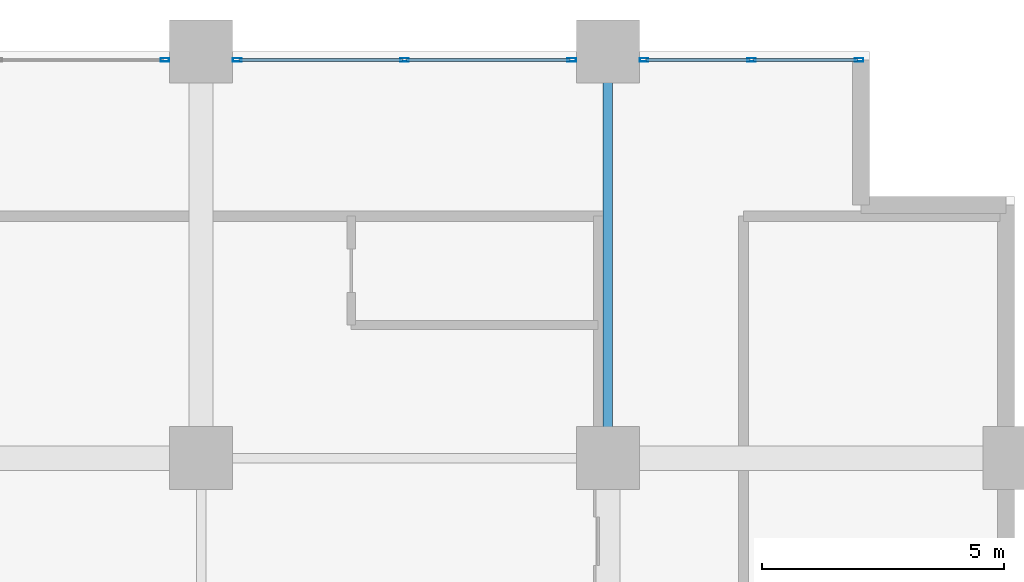
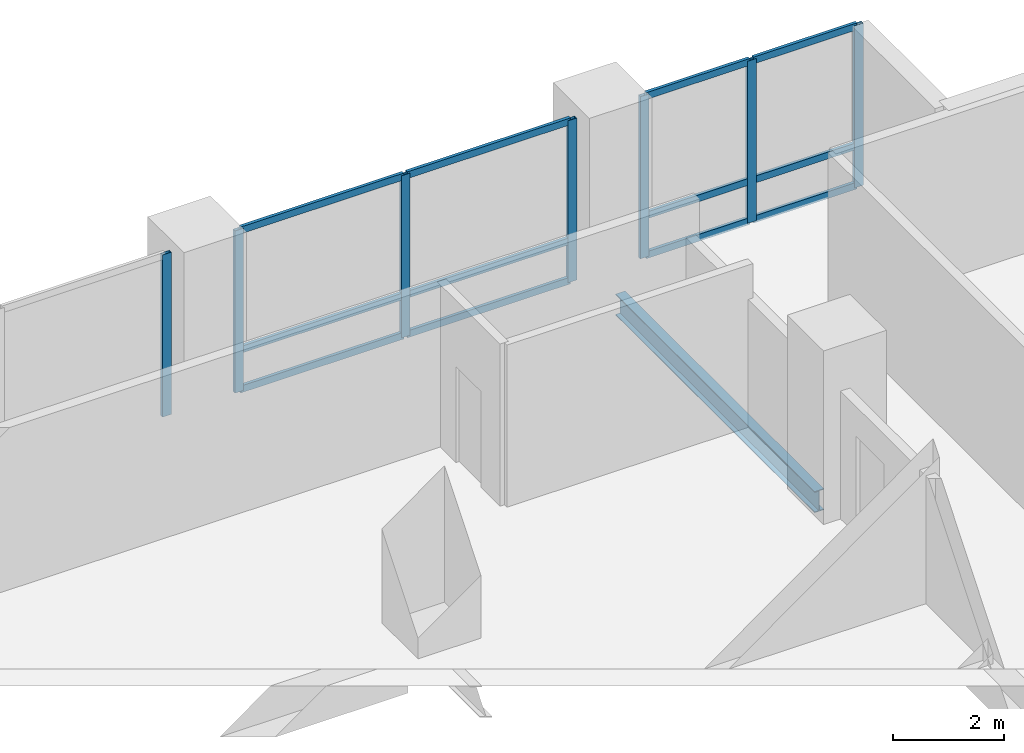
# One storey, part 5 of 20: 19 members, 1 beam, 3 elements without a shape of their own.
"""IFC4 building model written with IfcOpenShell, lengths in metres."""

import ifcopenshell
import ifcopenshell.guid

model = None  # the IFC model being written
_history = None  # IfcOwnerHistory: only IFC2X3 demands one
_inside = {}  # id of a spatial element -> (the spatial element, [elements in it])
_under = {}  # id of a project, library or spatial element -> (it, [spatial elements below it])
_declared = {}  # id of a project -> (the project, [libraries it declares])
_typed = {}  # id of a type object -> (the type object, [elements of that type])
_made_of = {}  # id of a material, layer set ... -> (it, [elements and type objects made of it])


def new_model(schema):
    """Start an empty IFC model of exactly this schema.

    Asked for "IFC4X3", IfcOpenShell would pick the latest addendum, in which some entities
    have other attributes; the version numbers below select the first issue.
    IFC2X3 requires an IfcOwnerHistory on every rooted entity: one is made here for all.
    """
    global model, _history
    if schema == "IFC4X3":
        model = ifcopenshell.file(schema_version=(4, 3, 0, 0))
    else:
        model = ifcopenshell.file(schema=schema)
    _inside.clear()
    _under.clear()
    _declared.clear()
    _typed.clear()
    _made_of.clear()
    _history = None
    if model.schema == "IFC2X3":
        org = make("IfcOrganization", Name="unknown")
        user = make(
            "IfcPersonAndOrganization",
            ThePerson=make("IfcPerson", FamilyName="unknown"),
            TheOrganization=org,
        )
        app = make(
            "IfcApplication",
            ApplicationDeveloper=org,
            Version="unknown",
            ApplicationFullName="unknown",
            ApplicationIdentifier="unknown",
        )
        _history = make(
            "IfcOwnerHistory",
            OwningUser=user,
            OwningApplication=app,
            ChangeAction="ADDED",
            CreationDate=0,
        )
    return model


def make(cls, **values):
    """One entity of the class cls with the attributes given. An attribute that is None is left unset."""
    return model.create_entity(
        cls, **{name: value for name, value in values.items() if value is not None}
    )


def rooted(cls, **values):
    """An entity with a GlobalId (a new one), such as an element, a storey or a relation."""
    return make(cls, GlobalId=ifcopenshell.guid.new(), OwnerHistory=_history, **values)


def si_unit(unit_type, name, prefix=None):
    """IfcSIUnit, for example si_unit("LENGTHUNIT", "METRE", prefix="MILLI")."""
    return make("IfcSIUnit", UnitType=unit_type, Prefix=prefix, Name=name)


def assignment(units):
    """IfcUnitAssignment: the units of a project."""
    return None if units is None else make("IfcUnitAssignment", Units=units)


def point(xyz):
    """IfcCartesianPoint."""
    return None if xyz is None else make("IfcCartesianPoint", Coordinates=xyz)


def direction(xyz):
    """IfcDirection."""
    return None if xyz is None else make("IfcDirection", DirectionRatios=xyz)


def frame(location, z_axis=None, x_axis=None):
    """IfcAxis2Placement3D, a coordinate frame: its origin and axes. An axis left out is left unset."""
    return make(
        "IfcAxis2Placement3D",
        Location=point(location),
        Axis=direction(z_axis),
        RefDirection=direction(x_axis),
    )


def frame_2d(location, x_axis=None):
    """IfcAxis2Placement2D, a coordinate frame in the plane: its origin and x axis."""
    return make(
        "IfcAxis2Placement2D", Location=point(location), RefDirection=direction(x_axis)
    )


def origin():
    """The frame at (0, 0, 0) with its axes left unset."""
    return frame((0.0, 0.0, 0.0))


def origin_2d():
    """The frame at (0, 0) in the plane with its x axis left unset."""
    return frame_2d((0.0, 0.0))


def place(relative_to, where):
    """IfcLocalPlacement: puts the frame where relative to a parent placement (None: the world)."""
    return make(
        "IfcLocalPlacement", PlacementRelTo=relative_to, RelativePlacement=where
    )


def context(
    kind, dimensions, precision=None, world=None, true_north=None, identifier=None
):
    """IfcGeometricRepresentationContext, for example the 3D "Model" context."""
    return make(
        "IfcGeometricRepresentationContext",
        ContextIdentifier=identifier,
        ContextType=kind,
        CoordinateSpaceDimension=dimensions,
        Precision=precision,
        WorldCoordinateSystem=world,
        TrueNorth=true_north,
    )


def subcontext(parent, identifier, kind, view, scale=None):
    """IfcGeometricRepresentationSubContext, for example "Body" below "Model"."""
    return make(
        "IfcGeometricRepresentationSubContext",
        ContextIdentifier=identifier,
        ContextType=kind,
        ParentContext=parent,
        TargetScale=scale,
        TargetView=view,
    )


def project(units=None, contexts=None):
    """IfcProject with its units and contexts."""
    return rooted(
        "IfcProject",
        Name="project",
        RepresentationContexts=contexts,
        UnitsInContext=assignment(units),
    )


def spatial(cls, under=None, at=None, **own):
    """A site, building, storey or space (cls), placed at a placement, below another one or the project."""
    s = rooted(cls, ObjectPlacement=at, **own)
    if under is not None:
        _under.setdefault(under.id(), (under, []))[1].append(s)
    return s


def profile(cls, at=None, kind="AREA", **sizes):
    """A parametric profile (cls). Its sizes go by their IFC names, for example OverallWidth=200.0."""
    return make(cls, ProfileType=kind, Position=at, **sizes)


def hollow_rectangle(**sizes):
    """IfcRectangleHollowProfileDef."""
    return profile("IfcRectangleHollowProfileDef", **sizes)


def i_section(**sizes):
    """IfcIShapeProfileDef."""
    return profile("IfcIShapeProfileDef", **sizes)


def extrude(swept, where, along, depth):
    """IfcExtrudedAreaSolid: the profile swept, set in the frame where, extruded along a direction by depth."""
    return make(
        "IfcExtrudedAreaSolid",
        SweptArea=swept,
        Position=where,
        ExtrudedDirection=direction(along),
        Depth=depth,
    )


def shape(context_of_items, identifier, shape_type, items):
    """IfcShapeRepresentation: the items that make up one representation, for example the "Body"."""
    return make(
        "IfcShapeRepresentation",
        ContextOfItems=context_of_items,
        RepresentationIdentifier=identifier,
        RepresentationType=shape_type,
        Items=items,
    )


def material(Name=None, Category=None):
    """IfcMaterial."""
    return make("IfcMaterial", Name=Name, Category=Category)


def layer(
    of_material, thickness, ventilated=None, Name=None, Category=None, Priority=None
):
    """IfcMaterialLayer: one layer of a wall or slab, of a material (None: an air gap)."""
    return make(
        "IfcMaterialLayer",
        Material=of_material,
        LayerThickness=thickness,
        IsVentilated=ventilated,
        Name=Name,
        Category=Category,
        Priority=Priority,
    )


def layer_set(layers, Name=None):
    """IfcMaterialLayerSet."""
    return make("IfcMaterialLayerSet", MaterialLayers=layers, LayerSetName=Name)


def material_profile(
    of_material, cross_section, Name=None, Category=None, Priority=None
):
    """IfcMaterialProfile: a cross section and its material."""
    return make(
        "IfcMaterialProfile",
        Name=Name,
        Material=of_material,
        Profile=cross_section,
        Priority=Priority,
        Category=Category,
    )


def profile_set(profiles, Name=None, composite=None):
    """IfcMaterialProfileSet."""
    return make(
        "IfcMaterialProfileSet",
        Name=Name,
        MaterialProfiles=profiles,
        CompositeProfile=composite,
    )


def made_of(thing, what):
    """Note that an element or type object is made of a material, layer set ...; save() writes the relation."""
    if what is not None:
        _made_of.setdefault(what.id(), (what, []))[1].append(thing)
    return thing


def type_object(cls, material=None, **own):
    """A type object (cls), such as IfcWallType, which elements share."""
    return made_of(rooted(cls, **own), material)


def element(
    cls,
    number,
    at=None,
    inside=None,
    cuts=None,
    type_object=None,
    material=None,
    context=None,
    identifier="Body",
    shape_type=None,
    held_by="IfcProductDefinitionShape",
    body=None,
    shapes=None,
    **own,
):
    """One element of the class cls, such as IfcWall. Its Tag is "e" and its number.

    at: its placement. inside: the storey or other place that contains it. cuts: it is an
    opening in that element (IfcRelVoidsElement). A single representation is given by context,
    identifier, shape_type and body (its items); several are given by shapes. held_by: the class
    of the entity that holds the representations. save() writes the other relations.
    """
    e = rooted(cls, Tag="e%d" % number, ObjectPlacement=at, **own)
    if body is not None:
        shapes = [shape(context, identifier, shape_type, body)]
    if shapes is not None:
        e.Representation = make(held_by, Representations=shapes)
    if inside is not None:
        _inside.setdefault(inside.id(), (inside, []))[1].append(e)
    if cuts is not None:
        rooted(
            "IfcRelVoidsElement", RelatingBuildingElement=cuts, RelatedOpeningElement=e
        )
    if type_object is not None:
        _typed.setdefault(type_object.id(), (type_object, []))[1].append(e)
    return made_of(e, material)


def aggregate(whole, parts):
    """IfcRelAggregates: a whole, such as a stair, and the parts it consists of."""
    return rooted("IfcRelAggregates", RelatingObject=whole, RelatedObjects=parts)


def save(model, path):
    """Write the relations noted so far, then the file.

    IfcRelAggregates (storeys below a building ...), IfcRelContainedInSpatialStructure (elements
    in a storey), IfcRelDefinesByType, IfcRelAssociatesMaterial and IfcRelDeclares: one each for
    every whole, place, type object, material and project.
    """
    for whole, parts in _under.values():
        aggregate(whole, parts)
    for where, things in _inside.values():
        rooted(
            "IfcRelContainedInSpatialStructure",
            RelatedElements=things,
            RelatingStructure=where,
        )
    for kind, things in _typed.values():
        rooted("IfcRelDefinesByType", RelatedObjects=things, RelatingType=kind)
    for what, things in _made_of.values():
        rooted("IfcRelAssociatesMaterial", RelatedObjects=things, RelatingMaterial=what)
    for by, libraries in _declared.values():
        rooted("IfcRelDeclares", RelatingContext=by, RelatedDefinitions=libraries)
    model.write(path)


model = new_model("IFC4")

# Units and contexts
model_context = context("Model", 3, precision=1e-05, world=origin(), true_north=direction((0.0, 1.0)))
body_context = subcontext(model_context, "Body", "Model", "MODEL_VIEW")
ifc_project = project(units=[si_unit("LENGTHUNIT", "METRE"), si_unit("AREAUNIT", "SQUARE_METRE"), si_unit("VOLUMEUNIT", "CUBIC_METRE"), si_unit("PLANEANGLEUNIT", "RADIAN"), si_unit("MASSUNIT", "GRAM", prefix="KILO")], contexts=[model_context])

# Site, building, storey
site_placement = place(None, origin())
site = spatial("IfcSite", under=ifc_project, at=site_placement, CompositionType="ELEMENT")
building_placement = place(site_placement, origin())
building = spatial("IfcBuilding", under=site, at=building_placement, Name="Koriwani Terraces Tower", CompositionType="ELEMENT")
storey_placement = place(building_placement, frame((0.0, 0.0, 126.60009765625)))
storey = spatial("IfcBuildingStorey", under=building, at=storey_placement, Name="L30", CompositionType="ELEMENT", Elevation=126.60009765625)

# Curtain wall, member
ifc_material_1 = material(Name="Anodised Bronze Aluminium", Category="aluminium")
ifc_layer = layer(ifc_material_1, 0.179931640625, Name="Anodised Bronze Aluminium")
ifc_layer_set = layer_set([ifc_layer], Name="Anodised Bronze Aluminium")
curtain_wall_type = type_object("IfcCurtainWallType", Name="CW_HOTEL_ZONE2", PredefinedType="NOTDEFINED", material=ifc_layer_set)
curtain_wall_1_placement = place(storey_placement, origin())
curtain_wall_1 = element("IfcCurtainWall", 1, at=curtain_wall_1_placement, inside=storey, type_object=curtain_wall_type, Name="L30 Unitised Curtain Wall (N_TIP) Bay 2", PredefinedType="NOTDEFINED")
ifc_material_profile_1 = material_profile(ifc_material_1, hollow_rectangle(XDim=0.074951171875, YDim=0.179931640625, WallThickness=0.006103515625, at=origin_2d()), Name="Anodised Bronze Aluminium", Category="LoadBearing")
ifc_profile_set_1 = profile_set([ifc_material_profile_1], Name="Anodised Bronze Aluminium")
member_type_1 = type_object("IfcMemberType", Name="CW_MULLION_180X75", PredefinedType="MULLION", material=ifc_profile_set_1)
member_1_placement = place(storey_placement, frame((16.052490234375, 92.22509765625, 0.0), z_axis=(0.0, 0.0, 1.0), x_axis=(0.0, 1.0, 0.0)))
member_1 = element("IfcMember", 2, at=member_1_placement, type_object=member_type_1, Name="CW-Z2 mullion 3", PredefinedType="MULLION", context=body_context, shape_type="SweptSolid", body=[
    extrude(hollow_rectangle(XDim=0.074951171875, YDim=0.179931640625, WallThickness=0.006103515625, at=origin_2d()), origin(), (0.0, 0.0, 1.0), 3.5498046875),
])
aggregate(curtain_wall_1, [member_1])

# Curtain wall, members
curtain_wall_2_placement = place(storey_placement, origin())
curtain_wall_2 = element("IfcCurtainWall", 3, at=curtain_wall_2_placement, inside=storey, type_object=curtain_wall_type, Name="L30 Unitised Curtain Wall (N_TIP) Bay 3", PredefinedType="NOTDEFINED")
member_2_placement = place(storey_placement, frame((17.547607421875, 92.22509765625, 0.0), z_axis=(0.0, 0.0, 1.0), x_axis=(0.0, 1.0, 0.0)))
member_2 = element("IfcMember", 4, at=member_2_placement, type_object=member_type_1, Name="CW-Z2 mullion 1", PredefinedType="MULLION", context=body_context, shape_type="SweptSolid", body=[
    extrude(hollow_rectangle(XDim=0.074951171875, YDim=0.179931640625, WallThickness=0.006103515625, at=origin_2d()), origin(), (0.0, 0.0, 1.0), 3.5498046875),
])
member_3_placement = place(storey_placement, frame((21.0, 92.22509765625, 0.0), z_axis=(0.0, 0.0, 1.0), x_axis=(0.0, 1.0, 0.0)))
member_3 = element("IfcMember", 5, at=member_3_placement, type_object=member_type_1, Name="CW-Z2 mullion 2", PredefinedType="MULLION", context=body_context, shape_type="SweptSolid", body=[
    extrude(hollow_rectangle(XDim=0.074951171875, YDim=0.179931640625, WallThickness=0.006103515625, at=origin_2d()), origin(), (0.0, 0.0, 1.0), 3.5498046875),
])
member_4_placement = place(storey_placement, frame((24.452392578125, 92.22509765625, 0.0), z_axis=(0.0, 0.0, 1.0), x_axis=(0.0, 1.0, 0.0)))
member_4 = element("IfcMember", 6, at=member_4_placement, type_object=member_type_1, Name="CW-Z2 mullion 3", PredefinedType="MULLION", context=body_context, shape_type="SweptSolid", body=[
    extrude(hollow_rectangle(XDim=0.074951171875, YDim=0.179931640625, WallThickness=0.006103515625, at=origin_2d()), origin(), (0.0, 0.0, 1.0), 3.5498046875),
])

curtain_wall_3_placement = place(storey_placement, origin())
curtain_wall_3 = element("IfcCurtainWall", 7, at=curtain_wall_3_placement, inside=storey, type_object=curtain_wall_type, Name="L30 Unitised Curtain Wall (N_TIP) Bay 4", PredefinedType="NOTDEFINED")
member_5_placement = place(storey_placement, frame((25.947509765625, 92.22509765625, 0.0), z_axis=(0.0, 0.0, 1.0), x_axis=(0.0, 1.0, 0.0)))
member_5 = element("IfcMember", 8, at=member_5_placement, type_object=member_type_1, Name="CW-Z2 mullion 1", PredefinedType="MULLION", context=body_context, shape_type="SweptSolid", body=[
    extrude(hollow_rectangle(XDim=0.074951171875, YDim=0.179931640625, WallThickness=0.006103515625, at=origin_2d()), origin(), (0.0, 0.0, 1.0), 3.5498046875),
])
member_6_placement = place(storey_placement, frame((28.16748046875, 92.22509765625, 0.0), z_axis=(0.0, 0.0, 1.0), x_axis=(0.0, 1.0, 0.0)))
member_6 = element("IfcMember", 9, at=member_6_placement, type_object=member_type_1, Name="CW-Z2 mullion 2", PredefinedType="MULLION", context=body_context, shape_type="SweptSolid", body=[
    extrude(hollow_rectangle(XDim=0.074951171875, YDim=0.179931640625, WallThickness=0.006103515625, at=origin_2d()), origin(), (0.0, 0.0, 1.0), 3.5498046875),
])
member_7_placement = place(storey_placement, frame((30.387451171875, 92.22509765625, 0.0), z_axis=(0.0, 0.0, 1.0), x_axis=(0.0, 1.0, 0.0)))
member_7 = element("IfcMember", 10, at=member_7_placement, type_object=member_type_1, Name="CW-Z2 mullion 3", PredefinedType="MULLION", context=body_context, shape_type="SweptSolid", body=[
    extrude(hollow_rectangle(XDim=0.074951171875, YDim=0.179931640625, WallThickness=0.006103515625, at=origin_2d()), origin(), (0.0, 0.0, 1.0), 3.5498046875),
])

# Member
ifc_material_profile_2 = material_profile(ifc_material_1, hollow_rectangle(XDim=0.06494140625, YDim=0.14990234375, WallThickness=0.0048828125, at=origin_2d()), Name="Anodised Bronze Aluminium", Category="LoadBearing")
ifc_profile_set_2 = profile_set([ifc_material_profile_2], Name="Anodised Bronze Aluminium")
member_type_2 = type_object("IfcMemberType", Name="CW_TRANSOM_150X65", PredefinedType="USERDEFINED", material=ifc_profile_set_2)
member_8_placement = place(storey_placement, frame((17.5849609375, 92.22509765625, 0.032470703125), z_axis=(1.0, 0.0, 0.0), x_axis=(0.0, 1.0, 0.0)))
member_8 = element("IfcMember", 11, at=member_8_placement, type_object=member_type_2, Name="CW-Z2 transom 1.1", ObjectType="TRANSOM", PredefinedType="USERDEFINED", context=body_context, shape_type="SweptSolid", body=[
    extrude(hollow_rectangle(XDim=0.06494140625, YDim=0.14990234375, WallThickness=0.0048828125, at=origin_2d()), origin(), (0.0, 0.0, 1.0), 3.37744140625),
])

member_9_placement = place(storey_placement, frame((17.5849609375, 92.22509765625, 0.89990234375), z_axis=(1.0, 0.0, 0.0), x_axis=(0.0, 1.0, 0.0)))
member_9 = element("IfcMember", 12, at=member_9_placement, type_object=member_type_2, Name="CW-Z2 transom 1.2", ObjectType="TRANSOM", PredefinedType="USERDEFINED", context=body_context, shape_type="SweptSolid", body=[
    extrude(hollow_rectangle(XDim=0.06494140625, YDim=0.14990234375, WallThickness=0.0048828125, at=origin_2d()), origin(), (0.0, 0.0, 1.0), 3.37744140625),
])

member_10_placement = place(storey_placement, frame((17.5849609375, 92.22509765625, 3.517333984375), z_axis=(1.0, 0.0, 0.0), x_axis=(0.0, 1.0, 0.0)))
member_10 = element("IfcMember", 13, at=member_10_placement, type_object=member_type_2, Name="CW-Z2 transom 1.3", ObjectType="TRANSOM", PredefinedType="USERDEFINED", context=body_context, shape_type="SweptSolid", body=[
    extrude(hollow_rectangle(XDim=0.06494140625, YDim=0.14990234375, WallThickness=0.0048828125, at=origin_2d()), origin(), (0.0, 0.0, 1.0), 3.37744140625),
])

member_11_placement = place(storey_placement, frame((21.03759765625, 92.22509765625, 0.032470703125), z_axis=(1.0, 0.0, 0.0), x_axis=(0.0, 1.0, 0.0)))
member_11 = element("IfcMember", 14, at=member_11_placement, type_object=member_type_2, Name="CW-Z2 transom 2.1", ObjectType="TRANSOM", PredefinedType="USERDEFINED", context=body_context, shape_type="SweptSolid", body=[
    extrude(hollow_rectangle(XDim=0.06494140625, YDim=0.14990234375, WallThickness=0.0048828125, at=origin_2d()), origin(), (0.0, 0.0, 1.0), 3.37744140625),
])

member_12_placement = place(storey_placement, frame((21.03759765625, 92.22509765625, 0.89990234375), z_axis=(1.0, 0.0, 0.0), x_axis=(0.0, 1.0, 0.0)))
member_12 = element("IfcMember", 15, at=member_12_placement, type_object=member_type_2, Name="CW-Z2 transom 2.2", ObjectType="TRANSOM", PredefinedType="USERDEFINED", context=body_context, shape_type="SweptSolid", body=[
    extrude(hollow_rectangle(XDim=0.06494140625, YDim=0.14990234375, WallThickness=0.0048828125, at=origin_2d()), origin(), (0.0, 0.0, 1.0), 3.37744140625),
])

member_13_placement = place(storey_placement, frame((21.03759765625, 92.22509765625, 3.517333984375), z_axis=(1.0, 0.0, 0.0), x_axis=(0.0, 1.0, 0.0)))
member_13 = element("IfcMember", 16, at=member_13_placement, type_object=member_type_2, Name="CW-Z2 transom 2.3", ObjectType="TRANSOM", PredefinedType="USERDEFINED", context=body_context, shape_type="SweptSolid", body=[
    extrude(hollow_rectangle(XDim=0.06494140625, YDim=0.14990234375, WallThickness=0.0048828125, at=origin_2d()), origin(), (0.0, 0.0, 1.0), 3.37744140625),
])

aggregate(curtain_wall_2, [member_2, member_3, member_4, member_8, member_9, member_10, member_11, member_12, member_13])

member_14_placement = place(storey_placement, frame((25.985107421875, 92.22509765625, 0.032470703125), z_axis=(1.0, 0.0, 0.0), x_axis=(0.0, 1.0, 0.0)))
member_14 = element("IfcMember", 17, at=member_14_placement, type_object=member_type_2, Name="CW-Z2 transom 1.1", ObjectType="TRANSOM", PredefinedType="USERDEFINED", context=body_context, shape_type="SweptSolid", body=[
    extrude(hollow_rectangle(XDim=0.06494140625, YDim=0.14990234375, WallThickness=0.0048828125, at=origin_2d()), origin(), (0.0, 0.0, 1.0), 2.144775390625),
])

member_15_placement = place(storey_placement, frame((25.985107421875, 92.22509765625, 0.89990234375), z_axis=(1.0, 0.0, 0.0), x_axis=(0.0, 1.0, 0.0)))
member_15 = element("IfcMember", 18, at=member_15_placement, type_object=member_type_2, Name="CW-Z2 transom 1.2", ObjectType="TRANSOM", PredefinedType="USERDEFINED", context=body_context, shape_type="SweptSolid", body=[
    extrude(hollow_rectangle(XDim=0.06494140625, YDim=0.14990234375, WallThickness=0.0048828125, at=origin_2d()), origin(), (0.0, 0.0, 1.0), 2.144775390625),
])

member_16_placement = place(storey_placement, frame((25.985107421875, 92.22509765625, 3.517333984375), z_axis=(1.0, 0.0, 0.0), x_axis=(0.0, 1.0, 0.0)))
member_16 = element("IfcMember", 19, at=member_16_placement, type_object=member_type_2, Name="CW-Z2 transom 1.3", ObjectType="TRANSOM", PredefinedType="USERDEFINED", context=body_context, shape_type="SweptSolid", body=[
    extrude(hollow_rectangle(XDim=0.06494140625, YDim=0.14990234375, WallThickness=0.0048828125, at=origin_2d()), origin(), (0.0, 0.0, 1.0), 2.144775390625),
])

member_17_placement = place(storey_placement, frame((28.205078125, 92.22509765625, 0.032470703125), z_axis=(1.0, 0.0, 0.0), x_axis=(0.0, 1.0, 0.0)))
member_17 = element("IfcMember", 20, at=member_17_placement, type_object=member_type_2, Name="CW-Z2 transom 2.1", ObjectType="TRANSOM", PredefinedType="USERDEFINED", context=body_context, shape_type="SweptSolid", body=[
    extrude(hollow_rectangle(XDim=0.06494140625, YDim=0.14990234375, WallThickness=0.0048828125, at=origin_2d()), origin(), (0.0, 0.0, 1.0), 2.14501953125),
])

member_18_placement = place(storey_placement, frame((28.205078125, 92.22509765625, 0.89990234375), z_axis=(1.0, 0.0, 0.0), x_axis=(0.0, 1.0, 0.0)))
member_18 = element("IfcMember", 21, at=member_18_placement, type_object=member_type_2, Name="CW-Z2 transom 2.2", ObjectType="TRANSOM", PredefinedType="USERDEFINED", context=body_context, shape_type="SweptSolid", body=[
    extrude(hollow_rectangle(XDim=0.06494140625, YDim=0.14990234375, WallThickness=0.0048828125, at=origin_2d()), origin(), (0.0, 0.0, 1.0), 2.14501953125),
])

member_19_placement = place(storey_placement, frame((28.205078125, 92.22509765625, 3.517333984375), z_axis=(1.0, 0.0, 0.0), x_axis=(0.0, 1.0, 0.0)))
member_19 = element("IfcMember", 22, at=member_19_placement, type_object=member_type_2, Name="CW-Z2 transom 2.3", ObjectType="TRANSOM", PredefinedType="USERDEFINED", context=body_context, shape_type="SweptSolid", body=[
    extrude(hollow_rectangle(XDim=0.06494140625, YDim=0.14990234375, WallThickness=0.0048828125, at=origin_2d()), origin(), (0.0, 0.0, 1.0), 2.14501953125),
])

aggregate(curtain_wall_3, [member_5, member_6, member_7, member_14, member_15, member_16, member_17, member_18, member_19])

# Beam
ifc_material_2 = material(Name="Steel ASTM A572 Grade 50", Category="steel")
ifc_material_profile_3 = material_profile(ifc_material_2, i_section(OverallWidth=0.193115234375, OverallDepth=0.462890625, WebThickness=0.0107421875, FlangeThickness=0.017333984375, at=origin_2d()), Name="Steel ASTM A572 Grade 50", Category="LoadBearing")
ifc_profile_set_3 = profile_set([ifc_material_profile_3], Name="Steel ASTM A572 Grade 50")
beam_type = type_object("IfcBeamType", Name="STEEL_BEAM_W460X113", PredefinedType="BEAM", material=ifc_profile_set_3)
beam_placement = place(storey_placement, frame((25.199951171875, 84.6298828125, -0.481689453125), z_axis=(0.0, 1.0, 0.0), x_axis=(-1.0, 0.0, 0.0)))
element("IfcBeam", 23, at=beam_placement, inside=storey, type_object=beam_type, Name="L30 Grid Beam 4 (84.0-92.4m)", PredefinedType="BEAM", context=body_context, shape_type="SweptSolid", body=[
    extrude(i_section(OverallWidth=0.193115234375, OverallDepth=0.462890625, WebThickness=0.0107421875, FlangeThickness=0.017333984375, at=origin_2d()), origin(), (0.0, 0.0, 1.0), 7.14013671875),
])

save(model, "model.ifc")
